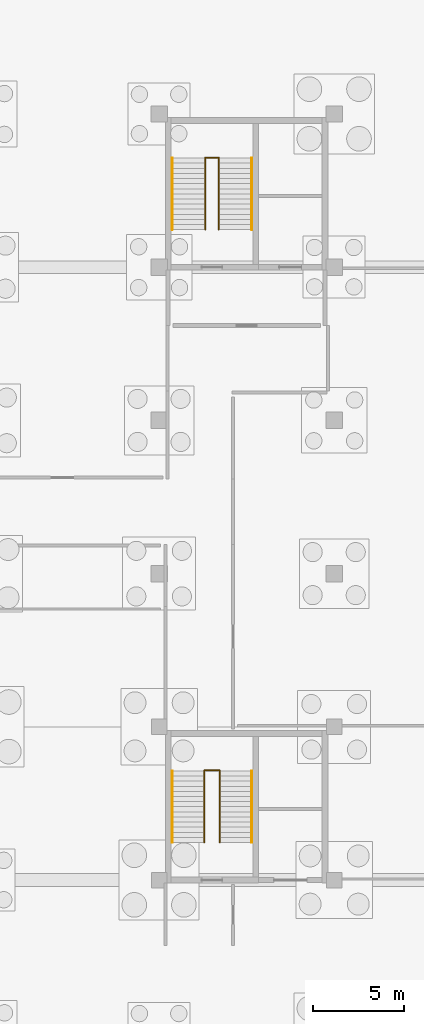
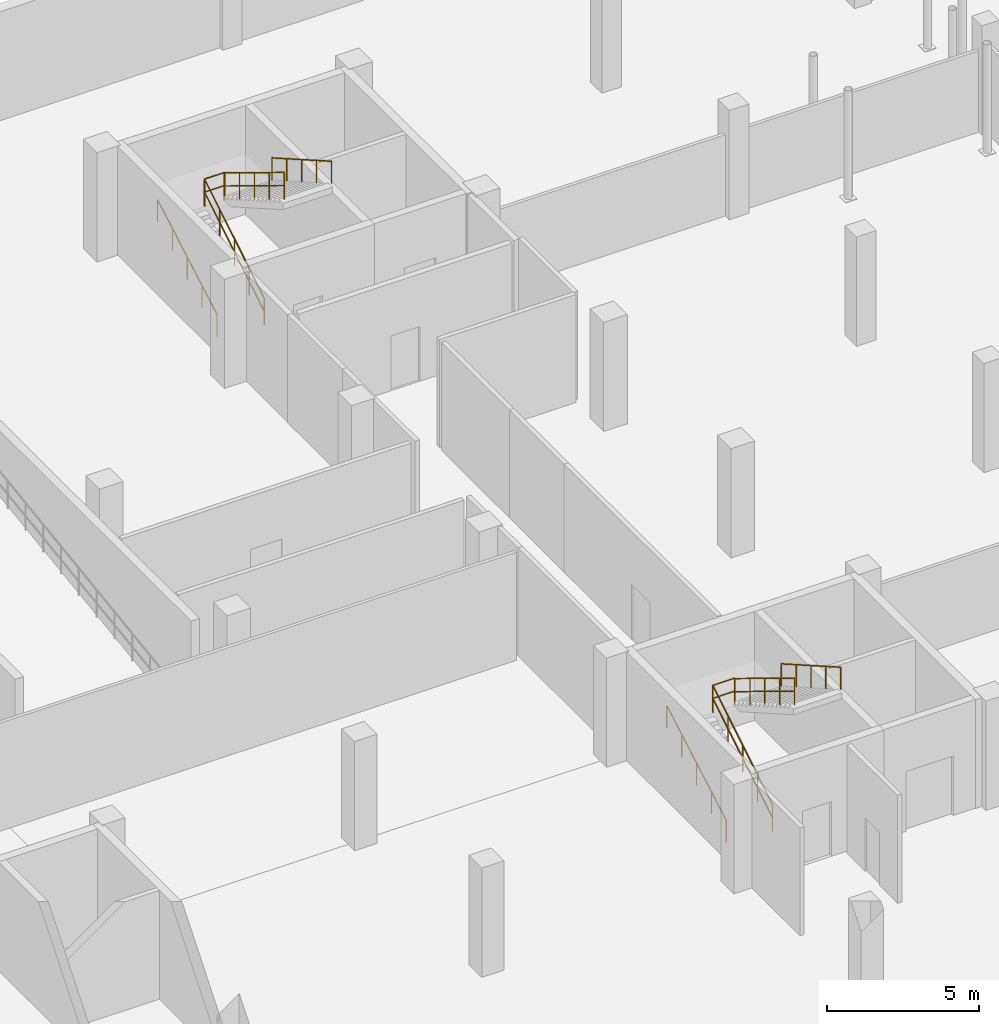
# One storey, part 26 of 26: 10 railings.
"""IFC4 building model written with IfcOpenShell, lengths in metres."""

from ifc_helpers import new_model, si_unit, direction, frame, origin, origin_2d, place, context, subcontext, project, spatial, circle, extrude, material, layer, layer_set, type_object, element, save


model = new_model("IFC4")

# Units and contexts
model_context = context("Model", 3, precision=1e-05, world=origin(), true_north=direction((0.0, 1.0)))
body_context = subcontext(model_context, "Body", "Model", "MODEL_VIEW")
ifc_project = project(units=[si_unit("LENGTHUNIT", "METRE"), si_unit("AREAUNIT", "SQUARE_METRE"), si_unit("VOLUMEUNIT", "CUBIC_METRE"), si_unit("PLANEANGLEUNIT", "RADIAN"), si_unit("MASSUNIT", "GRAM", prefix="KILO")], contexts=[model_context])

# Site, building, storey
site_placement = place(None, origin())
site = spatial("IfcSite", under=ifc_project, at=site_placement, CompositionType="ELEMENT")
building_placement = place(site_placement, origin())
building = spatial("IfcBuilding", under=site, at=building_placement, Name="Lornevale Opera House", CompositionType="ELEMENT")
storey_placement = place(building_placement, frame((0.0, 0.0, -9.60009765625)))
storey = spatial("IfcBuildingStorey", under=building, at=storey_placement, Name="B2", CompositionType="ELEMENT", Elevation=-9.60009765625)

# Railings
ifc_material = material(Name="Structural Steel CSA G40.21 Grade 350W (350 MPa)", Category="steel")
ifc_layer_1 = layer(ifc_material, 0.050048828125)
ifc_layer_set_1 = layer_set([ifc_layer_1], Name="Structural Steel CSA G40.21 Grade 350W (350 MPa)")
railing_type_1 = type_object("IfcRailingType", Name="Stair Well Guardrail 1100", PredefinedType="GUARDRAIL", material=ifc_layer_set_1)
railing_1_placement = place(storey_placement, frame((136.919921875, 69.260009765625, 0.0)))
element("IfcRailing", 1, at=railing_1_placement, inside=storey, type_object=railing_type_1, Name="ST-28 Inner Well Guard F1", PredefinedType="GUARDRAIL", context=body_context, shape_type="SweptSolid", body=[
    extrude(circle(Radius=0.02392578125, at=origin_2d()), frame((0.0, 0.0, 1.076171875), z_axis=(0.0, 0.852832477147, 0.522184609045), x_axis=(-1.0, 0.0, 0.0)), (0.0, 0.0, 1.0), 4.596435546875),
    extrude(circle(Radius=0.02392578125, at=origin_2d()), frame((0.0, 0.0, 0.550048828125), z_axis=(0.0, 0.852832477147, 0.522184609045), x_axis=(-1.0, 0.0, 0.0)), (0.0, 0.0, 1.0), 4.596435546875),
    extrude(circle(Radius=0.02099609375, at=origin_2d()), origin(), (0.0, 0.0, 1.0), 1.052001953125),
    extrude(circle(Radius=0.02099609375, at=origin_2d()), frame((0.0, 0.97998046875, 0.60009765625)), (0.0, 0.0, 1.0), 1.052001953125),
    extrude(circle(Radius=0.02099609375, at=origin_2d()), frame((0.0, 1.9599609375, 1.2001953125)), (0.0, 0.0, 1.0), 1.052001953125),
    extrude(circle(Radius=0.02099609375, at=origin_2d()), frame((0.0, 2.93994140625, 1.800048828125)), (0.0, 0.0, 1.0), 1.052001953125),
    extrude(circle(Radius=0.02099609375, at=origin_2d()), frame((0.0, 3.919921875, 2.400146484375)), (0.0, 0.0, 1.0), 1.052001953125),
])
railing_2_placement = place(storey_placement, frame((137.679931640625, 73.179931640625, 2.400146484375)))
element("IfcRailing", 2, at=railing_2_placement, inside=storey, type_object=railing_type_1, Name="ST-28 Inner Well Guard F2", PredefinedType="GUARDRAIL", context=body_context, shape_type="SweptSolid", body=[
    extrude(circle(Radius=0.02392578125, at=origin_2d()), frame((0.0, 0.0, 1.076171875), z_axis=(0.0, -0.852856131449, 0.522145974847), x_axis=(1.0, 0.0, 0.0)), (0.0, 0.0, 1.0), 4.59619140625),
    extrude(circle(Radius=0.02392578125, at=origin_2d()), frame((0.0, 0.0, 0.550048828125), z_axis=(0.0, -0.852856131449, 0.522145974847), x_axis=(1.0, 0.0, 0.0)), (0.0, 0.0, 1.0), 4.59619140625),
    extrude(circle(Radius=0.02099609375, at=origin_2d()), origin(), (0.0, 0.0, 1.0), 1.052001953125),
    extrude(circle(Radius=0.02099609375, at=origin_2d()), frame((0.0, -0.97998046875, 0.60009765625)), (0.0, 0.0, 1.0), 1.052001953125),
    extrude(circle(Radius=0.02099609375, at=origin_2d()), frame((0.0, -1.9599609375, 1.199951171875)), (0.0, 0.0, 1.0), 1.052001953125),
    extrude(circle(Radius=0.02099609375, at=origin_2d()), frame((0.0, -2.93994140625, 1.7998046875)), (0.0, 0.0, 1.0), 1.052001953125),
    extrude(circle(Radius=0.02099609375, at=origin_2d()), frame((0.0, -3.919921875, 2.39990234375)), (0.0, 0.0, 1.0), 1.052001953125),
])
railing_3_placement = place(storey_placement, frame((136.919921875, 73.2099609375, 2.400146484375)))
element("IfcRailing", 3, at=railing_3_placement, inside=storey, type_object=railing_type_1, Name="ST-28 Half-Landing Slot Guard", PredefinedType="GUARDRAIL", context=body_context, shape_type="SweptSolid", body=[
    extrude(circle(Radius=0.02392578125, at=origin_2d()), frame((0.0, 0.0, 1.076171875), z_axis=(1.0, 0.0, 0.0), x_axis=(0.0, 1.0, 0.0)), (0.0, 0.0, 1.0), 0.760009765625),
    extrude(circle(Radius=0.02392578125, at=origin_2d()), frame((0.0, 0.0, 0.550048828125), z_axis=(1.0, 0.0, 0.0), x_axis=(0.0, 1.0, 0.0)), (0.0, 0.0, 1.0), 0.760009765625),
    extrude(circle(Radius=0.02099609375, at=origin_2d()), origin(), (0.0, 0.0, 1.0), 1.052001953125),
    extrude(circle(Radius=0.02099609375, at=origin_2d()), frame((0.760009765625, 0.0, 0.0)), (0.0, 0.0, 1.0), 1.052001953125),
])
railing_4_placement = place(storey_placement, frame((136.8798828125, 35.659912109375, 0.0)))
element("IfcRailing", 4, at=railing_4_placement, inside=storey, type_object=railing_type_1, Name="ST-35 Inner Well Guard F1", PredefinedType="GUARDRAIL", context=body_context, shape_type="SweptSolid", body=[
    extrude(circle(Radius=0.02392578125, at=origin_2d()), frame((0.0, 0.0, 1.076171875), z_axis=(0.0, 0.852846959695, 0.522160955394), x_axis=(-1.0, 0.0, 0.0)), (0.0, 0.0, 1.0), 4.5966796875),
    extrude(circle(Radius=0.02392578125, at=origin_2d()), frame((0.0, 0.0, 0.550048828125), z_axis=(0.0, 0.852846959695, 0.522160955394), x_axis=(-1.0, 0.0, 0.0)), (0.0, 0.0, 1.0), 4.5966796875),
    extrude(circle(Radius=0.02099609375, at=origin_2d()), origin(), (0.0, 0.0, 1.0), 1.052001953125),
    extrude(circle(Radius=0.02099609375, at=origin_2d()), frame((0.0, 0.97998046875, 0.60009765625)), (0.0, 0.0, 1.0), 1.052001953125),
    extrude(circle(Radius=0.02099609375, at=origin_2d()), frame((0.0, 1.9599609375, 1.2001953125)), (0.0, 0.0, 1.0), 1.052001953125),
    extrude(circle(Radius=0.02099609375, at=origin_2d()), frame((0.0, 2.940185546875, 1.800048828125)), (0.0, 0.0, 1.0), 1.052001953125),
    extrude(circle(Radius=0.02099609375, at=origin_2d()), frame((0.0, 3.920166015625, 2.400146484375)), (0.0, 0.0, 1.0), 1.052001953125),
])
railing_5_placement = place(storey_placement, frame((137.719970703125, 39.580078125, 2.400146484375)))
element("IfcRailing", 5, at=railing_5_placement, inside=storey, type_object=railing_type_1, Name="ST-35 Inner Well Guard F2", PredefinedType="GUARDRAIL", context=body_context, shape_type="SweptSolid", body=[
    extrude(circle(Radius=0.02392578125, at=origin_2d()), frame((0.0, 0.0, 1.076171875), z_axis=(0.0, -0.852870612257, 0.522122321634), x_axis=(1.0, 0.0, 0.0)), (0.0, 0.0, 1.0), 4.596435546875),
    extrude(circle(Radius=0.02392578125, at=origin_2d()), frame((0.0, 0.0, 0.550048828125), z_axis=(0.0, -0.852870612257, 0.522122321634), x_axis=(1.0, 0.0, 0.0)), (0.0, 0.0, 1.0), 4.596435546875),
    extrude(circle(Radius=0.02099609375, at=origin_2d()), origin(), (0.0, 0.0, 1.0), 1.052001953125),
    extrude(circle(Radius=0.02099609375, at=origin_2d()), frame((0.0, -0.97998046875, 0.60009765625)), (0.0, 0.0, 1.0), 1.052001953125),
    extrude(circle(Radius=0.02099609375, at=origin_2d()), frame((0.0, -1.9599609375, 1.199951171875)), (0.0, 0.0, 1.0), 1.052001953125),
    extrude(circle(Radius=0.02099609375, at=origin_2d()), frame((0.0, -2.940185546875, 1.7998046875)), (0.0, 0.0, 1.0), 1.052001953125),
    extrude(circle(Radius=0.02099609375, at=origin_2d()), frame((0.0, -3.920166015625, 2.39990234375)), (0.0, 0.0, 1.0), 1.052001953125),
])
railing_6_placement = place(storey_placement, frame((136.8798828125, 39.610107421875, 2.400146484375)))
element("IfcRailing", 6, at=railing_6_placement, inside=storey, type_object=railing_type_1, Name="ST-35 Half-Landing Slot Guard", PredefinedType="GUARDRAIL", context=body_context, shape_type="SweptSolid", body=[
    extrude(circle(Radius=0.02392578125, at=origin_2d()), frame((0.0, 0.0, 1.076171875), z_axis=(1.0, 0.0, 0.0), x_axis=(0.0, 1.0, 0.0)), (0.0, 0.0, 1.0), 0.840087890625),
    extrude(circle(Radius=0.02392578125, at=origin_2d()), frame((0.0, 0.0, 0.550048828125), z_axis=(1.0, 0.0, 0.0), x_axis=(0.0, 1.0, 0.0)), (0.0, 0.0, 1.0), 0.840087890625),
    extrude(circle(Radius=0.02099609375, at=origin_2d()), origin(), (0.0, 0.0, 1.0), 1.052001953125),
    extrude(circle(Radius=0.02099609375, at=origin_2d()), frame((0.840087890625, 0.0, 0.0)), (0.0, 0.0, 1.0), 1.052001953125),
])
ifc_layer_2 = layer(ifc_material, 0.048095703125)
ifc_layer_set_2 = layer_set([ifc_layer_2], Name="Structural Steel CSA G40.21 Grade 350W (350 MPa)")
railing_type_2 = type_object("IfcRailingType", Name="Tubular Stair Handrail 915", PredefinedType="HANDRAIL", material=ifc_layer_set_2)
railing_7_placement = place(storey_placement, frame((135.1201171875, 69.260009765625, 0.1630859375)))
element("IfcRailing", 7, at=railing_7_placement, inside=storey, type_object=railing_type_2, Name="ST-28 Outer Handrail F1", PredefinedType="HANDRAIL", context=body_context, shape_type="SweptSolid", body=[
    extrude(circle(Radius=0.02392578125, at=origin_2d()), frame((0.0, 0.0, 0.89111328125), z_axis=(0.0, 0.868239814368, 0.496144761885), x_axis=(-1.0, 0.0, 0.0)), (0.0, 0.0, 1.0), 4.514892578125),
    extrude(circle(Radius=0.02099609375, at=origin_2d()), origin(), (0.0, 0.0, 1.0), 0.866943359375),
    extrude(circle(Radius=0.02099609375, at=origin_2d()), frame((0.0, 0.97998046875, 0.56005859375)), (0.0, 0.0, 1.0), 0.866943359375),
    extrude(circle(Radius=0.02099609375, at=origin_2d()), frame((0.0, 1.9599609375, 1.1201171875)), (0.0, 0.0, 1.0), 0.866943359375),
    extrude(circle(Radius=0.02099609375, at=origin_2d()), frame((0.0, 2.93994140625, 1.679931640625)), (0.0, 0.0, 1.0), 0.866943359375),
    extrude(circle(Radius=0.02099609375, at=origin_2d()), frame((0.0, 3.919921875, 2.239990234375)), (0.0, 0.0, 1.0), 0.866943359375),
])
railing_8_placement = place(storey_placement, frame((139.47998046875, 73.179931640625, 2.56298828125)))
element("IfcRailing", 8, at=railing_8_placement, inside=storey, type_object=railing_type_2, Name="ST-28 Outer Handrail F2", PredefinedType="HANDRAIL", context=body_context, shape_type="SweptSolid", body=[
    extrude(circle(Radius=0.02392578125, at=origin_2d()), frame((0.0, 0.0, 0.89111328125), z_axis=(0.0, -0.868239814368, 0.496144761885), x_axis=(1.0, 0.0, 0.0)), (0.0, 0.0, 1.0), 4.514892578125),
    extrude(circle(Radius=0.02099609375, at=origin_2d()), origin(), (0.0, 0.0, 1.0), 0.866943359375),
    extrude(circle(Radius=0.02099609375, at=origin_2d()), frame((0.0, -0.97998046875, 0.56005859375)), (0.0, 0.0, 1.0), 0.866943359375),
    extrude(circle(Radius=0.02099609375, at=origin_2d()), frame((0.0, -1.9599609375, 1.1201171875)), (0.0, 0.0, 1.0), 0.866943359375),
    extrude(circle(Radius=0.02099609375, at=origin_2d()), frame((0.0, -2.93994140625, 1.679931640625)), (0.0, 0.0, 1.0), 0.866943359375),
    extrude(circle(Radius=0.02099609375, at=origin_2d()), frame((0.0, -3.919921875, 2.239990234375)), (0.0, 0.0, 1.0), 0.866943359375),
])
railing_9_placement = place(storey_placement, frame((135.1201171875, 35.659912109375, 0.1630859375)))
element("IfcRailing", 9, at=railing_9_placement, inside=storey, type_object=railing_type_2, Name="ST-35 Outer Handrail F1", PredefinedType="HANDRAIL", context=body_context, shape_type="SweptSolid", body=[
    extrude(circle(Radius=0.02392578125, at=origin_2d()), frame((0.0, 0.0, 0.89111328125), z_axis=(0.0, 0.86825312469, 0.496121468458), x_axis=(-1.0, 0.0, 0.0)), (0.0, 0.0, 1.0), 4.514892578125),
    extrude(circle(Radius=0.02099609375, at=origin_2d()), origin(), (0.0, 0.0, 1.0), 0.866943359375),
    extrude(circle(Radius=0.02099609375, at=origin_2d()), frame((0.0, 0.97998046875, 0.56005859375)), (0.0, 0.0, 1.0), 0.866943359375),
    extrude(circle(Radius=0.02099609375, at=origin_2d()), frame((0.0, 1.9599609375, 1.1201171875)), (0.0, 0.0, 1.0), 0.866943359375),
    extrude(circle(Radius=0.02099609375, at=origin_2d()), frame((0.0, 2.940185546875, 1.679931640625)), (0.0, 0.0, 1.0), 0.866943359375),
    extrude(circle(Radius=0.02099609375, at=origin_2d()), frame((0.0, 3.920166015625, 2.239990234375)), (0.0, 0.0, 1.0), 0.866943359375),
])
railing_10_placement = place(storey_placement, frame((139.47998046875, 39.580078125, 2.56298828125)))
element("IfcRailing", 10, at=railing_10_placement, inside=storey, type_object=railing_type_2, Name="ST-35 Outer Handrail F2", PredefinedType="HANDRAIL", context=body_context, shape_type="SweptSolid", body=[
    extrude(circle(Radius=0.02392578125, at=origin_2d()), frame((0.0, 0.0, 0.89111328125), z_axis=(0.0, -0.86825312469, 0.496121468458), x_axis=(1.0, 0.0, 0.0)), (0.0, 0.0, 1.0), 4.514892578125),
    extrude(circle(Radius=0.02099609375, at=origin_2d()), origin(), (0.0, 0.0, 1.0), 0.866943359375),
    extrude(circle(Radius=0.02099609375, at=origin_2d()), frame((0.0, -0.97998046875, 0.56005859375)), (0.0, 0.0, 1.0), 0.866943359375),
    extrude(circle(Radius=0.02099609375, at=origin_2d()), frame((0.0, -1.9599609375, 1.1201171875)), (0.0, 0.0, 1.0), 0.866943359375),
    extrude(circle(Radius=0.02099609375, at=origin_2d()), frame((0.0, -2.940185546875, 1.679931640625)), (0.0, 0.0, 1.0), 0.866943359375),
    extrude(circle(Radius=0.02099609375, at=origin_2d()), frame((0.0, -3.920166015625, 2.239990234375)), (0.0, 0.0, 1.0), 0.866943359375),
])

save(model, "model.ifc")
